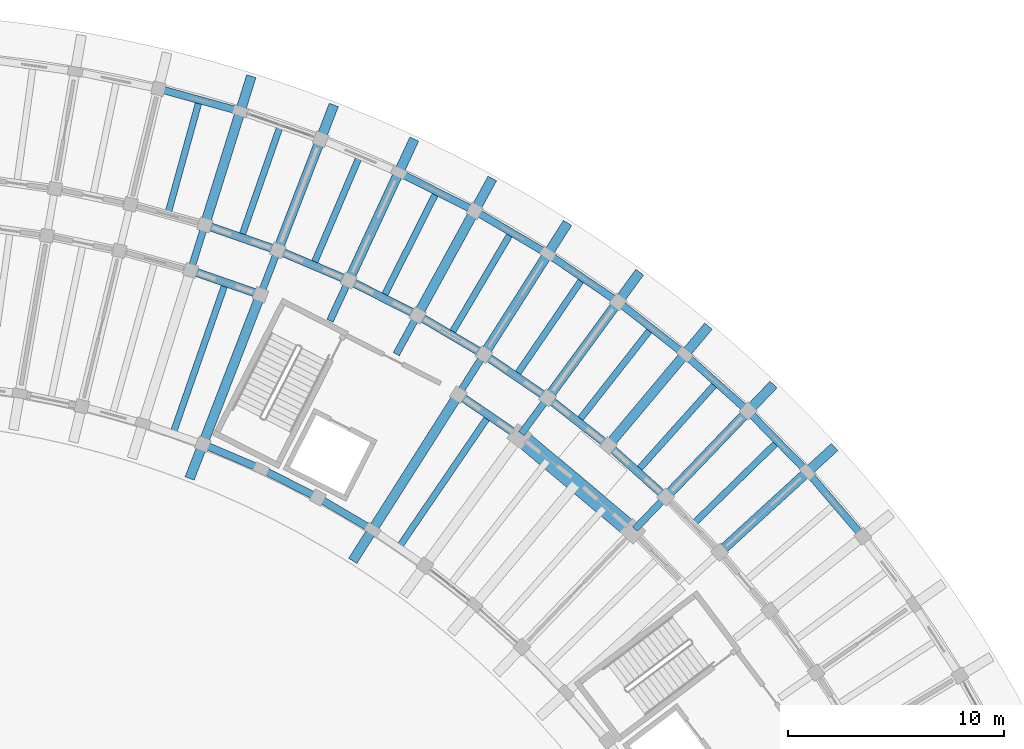
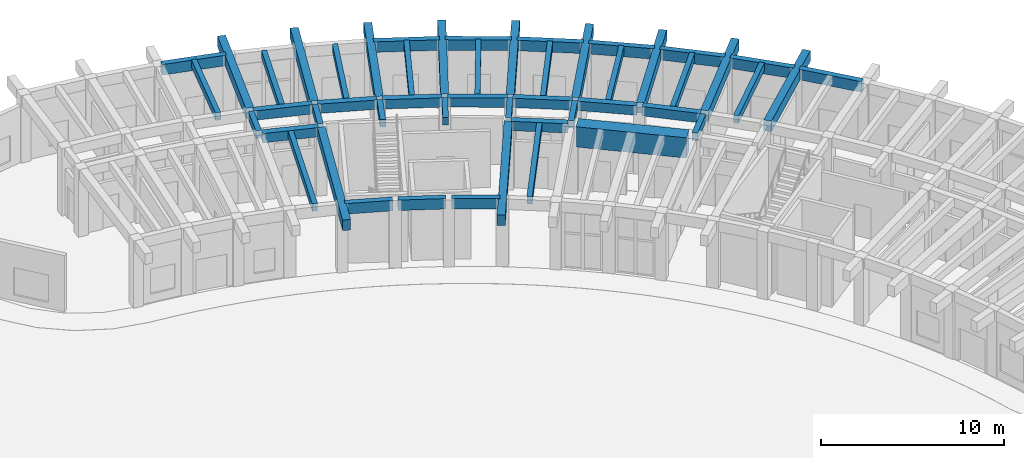
# One storey, part 66 of 132: 50 beams.
"""IFC4 building model written with IfcOpenShell, lengths in metres."""

from ifc_helpers import new_model, si_unit, direction, frame, origin, origin_2d, place, context, subcontext, project, spatial, rectangle, extrude, material, material_profile, profile_set, type_object, element, save


model = new_model("IFC4")

# Units and contexts
model_context = context("Model", 3, precision=1e-05, world=origin(), true_north=direction((0.0, 1.0)))
body_context = subcontext(model_context, "Body", "Model", "MODEL_VIEW")
ifc_project = project(units=[si_unit("LENGTHUNIT", "METRE"), si_unit("AREAUNIT", "SQUARE_METRE"), si_unit("VOLUMEUNIT", "CUBIC_METRE"), si_unit("PLANEANGLEUNIT", "RADIAN"), si_unit("MASSUNIT", "GRAM", prefix="KILO")], contexts=[model_context])

# Site, building, storey
site_placement = place(None, origin())
site = spatial("IfcSite", under=ifc_project, at=site_placement, CompositionType="ELEMENT")
building_placement = place(site_placement, origin())
building = spatial("IfcBuilding", under=site, at=building_placement, Name="Tanwirah Colonnade Gardens", CompositionType="ELEMENT")
storey_placement = place(building_placement, origin())
storey = spatial("IfcBuildingStorey", under=building, at=storey_placement, Name="L00", CompositionType="ELEMENT", Elevation=0.0)

# Beams
ifc_material_1 = material(Name="Precast concrete C40/50", Category="concrete")
ifc_material_profile_1 = material_profile(ifc_material_1, rectangle(XDim=0.320068359375, YDim=0.52001953125, at=origin_2d()), Name="PC-BM 320x520")
ifc_profile_set_1 = profile_set([ifc_material_profile_1], Name="Precast concrete C40/50")
beam_type_1 = type_object("IfcBeamType", Name="BM-PC320", PredefinedType="BEAM", material=ifc_profile_set_1)
for number, where, z_axis, x_axis, name in (
    (1, (156.976806640625, 97.74560546875, 4.22509765625), (0.691913735329, 0.721980181766, 0.0), (-0.721980181766, 0.691913735329, 0.0), "Block B L00 Corridor Tie Beam 8"),
    (2, (151.727783203125, 102.14990234375, 4.22509765625), (0.590895676149, 0.806747977939, 0.0), (-0.806747977939, 0.590895676149, 0.0), "Block B L00 Corridor Tie Beam 10"),
):
    element("IfcBeam", number, at=place(storey_placement, frame(where, z_axis=z_axis, x_axis=x_axis)), inside=storey, type_object=beam_type_1, Name=name, PredefinedType="BEAM", context=body_context, shape_type="SweptSolid", body=[
        extrude(rectangle(XDim=0.320068359375, YDim=0.52001953125, at=origin_2d()), origin(), (0.0, 0.0, 1.0), 1.900146484375),
    ])
for number, where, z_axis, x_axis, name in (
    (3, (148.89697265625, 104.08349609375, 4.22509765625), (0.536509579595, 0.843894229749, 0.0), (-0.843894229749, 0.536509579595, 0.0), "Block B L00 Corridor Tie Beam 11"),
    (4, (145.945068359375, 105.826171875, 4.22509765625), (0.479707235792, 0.877428611301, 0.0), (-0.877428611301, 0.479707235792, 0.0), "Block B L00 Corridor Tie Beam 12"),
    (5, (142.884765625, 107.37060546875, 4.22509765625), (0.420858322681, 0.90712638162, 0.0), (-0.90712638162, 0.420858322681, 0.0), "Block B L00 Corridor Tie Beam 13"),
    (6, (139.729248046875, 108.7099609375, 4.22509765625), (0.360175656082, 0.932884503444, 0.0), (-0.932884503444, 0.360175656082, 0.0), "Block B L00 Corridor Tie Beam 14"),
    (7, (136.492431640625, 109.838623046875, 4.22509765625), (0.297857918398, 0.954610213882, 0.0), (-0.954610213882, 0.297857918398, 0.0), "Block B L00 Corridor Tie Beam 15"),
):
    element("IfcBeam", number, at=place(storey_placement, frame(where, z_axis=z_axis, x_axis=x_axis)), inside=storey, type_object=beam_type_1, Name=name, PredefinedType="BEAM", context=body_context, shape_type="SweptSolid", body=[
        extrude(rectangle(XDim=0.320068359375, YDim=0.52001953125, at=origin_2d()), origin(), (0.0, 0.0, 1.0), 1.89990234375),
    ])
ifc_material_profile_2 = material_profile(ifc_material_1, rectangle(XDim=0.3798828125, YDim=0.6201171875, at=origin_2d()), Name="PC-BM 380x620")
ifc_profile_set_2 = profile_set([ifc_material_profile_2], Name="Precast concrete C40/50")
beam_type_2 = type_object("IfcBeamType", Name="BM-PC380", PredefinedType="BEAM", material=ifc_profile_set_2)
for number, where, z_axis, x_axis, name in (
    (8, (158.283447265625, 99.32568359375, 4.175048828125), (-0.744409136578, 0.667723773262, 0.0), (-0.667723773262, -0.744409136578, 0.0), "Block B L00 Circumferential Beam 8-R2"),
    (9, (155.624755859375, 101.697265625, 4.175048828125), (-0.786839882256, 0.617157192044, 0.0), (-0.617157192044, -0.786839882256, 0.0), "Block B L00 Circumferential Beam 9-R2"),
):
    element("IfcBeam", number, at=place(storey_placement, frame(where, z_axis=z_axis, x_axis=x_axis)), inside=storey, type_object=beam_type_2, Name=name, PredefinedType="BEAM", context=body_context, shape_type="SweptSolid", body=[
        extrude(rectangle(XDim=0.3798828125, YDim=0.6201171875, at=origin_2d()), origin(), (0.0, 0.0, 1.0), 3.26318359375),
    ])
beam_1_placement = place(storey_placement, frame((151.515380859375, 102.113525390625, 4.175048828125), z_axis=(-0.825758291455, 0.564024152047, 0.0), x_axis=(-0.564024152047, -0.825758291455, 0.0)))
element("IfcBeam", 10, at=beam_1_placement, inside=storey, type_object=beam_type_2, Name="Block B L00 Circumferential Beam 10-R1", PredefinedType="BEAM", context=body_context, shape_type="SweptSolid", body=[
    extrude(rectangle(XDim=0.3798828125, YDim=0.6201171875, at=origin_2d()), origin(), (0.0, 0.0, 1.0), 3.118408203125),
])
for number, where, z_axis, x_axis, name in (
    (11, (152.815185546875, 103.888427734375, 4.175048828125), (-0.825782284145, 0.563989024, 0.0), (-0.563989024, -0.825782284145, 0.0), "Block B L00 Circumferential Beam 10-R2"),
    (12, (149.86767578125, 105.8896484375, 4.175048828125), (-0.861134978964, 0.508376384193, 0.0), (-0.508376384193, -0.861134978964, 0.0), "Block B L00 Circumferential Beam 11-R2"),
    (13, (146.794677734375, 107.6923828125, 4.175048828125), (-0.89276014323, 0.450532270387, 0.0), (-0.450532270387, -0.89276014323, 0.0), "Block B L00 Circumferential Beam 12-R2"),
):
    element("IfcBeam", number, at=place(storey_placement, frame(where, z_axis=z_axis, x_axis=x_axis)), inside=storey, type_object=beam_type_2, Name=name, PredefinedType="BEAM", context=body_context, shape_type="SweptSolid", body=[
        extrude(rectangle(XDim=0.3798828125, YDim=0.6201171875, at=origin_2d()), origin(), (0.0, 0.0, 1.0), 3.26318359375),
    ])
beam_2_placement = place(storey_placement, frame((143.609375, 109.288818359375, 4.175048828125), z_axis=(-0.920513294115, 0.390711242938, 0.0), x_axis=(-0.390711242938, -0.920513294115, 0.0)))
element("IfcBeam", 14, at=beam_2_placement, inside=storey, type_object=beam_type_2, Name="Block B L00 Circumferential Beam 13-R2", PredefinedType="BEAM", context=body_context, shape_type="SweptSolid", body=[
    extrude(rectangle(XDim=0.3798828125, YDim=0.6201171875, at=origin_2d()), origin(), (0.0, 0.0, 1.0), 3.262939453125),
])
beam_3_placement = place(storey_placement, frame((139.53369140625, 108.619384765625, 4.175048828125), z_axis=(-0.944248304077, 0.329234172358, 0.0), x_axis=(-0.329234172358, -0.944248304077, 0.0)))
element("IfcBeam", 15, at=beam_3_placement, inside=storey, type_object=beam_type_2, Name="Block B L00 Circumferential Beam 14-R1", PredefinedType="BEAM", context=body_context, shape_type="SweptSolid", body=[
    extrude(rectangle(XDim=0.3798828125, YDim=0.6201171875, at=origin_2d()), origin(), (0.0, 0.0, 1.0), 3.1181640625),
])
beam_4_placement = place(storey_placement, frame((140.325927734375, 110.671630859375, 4.175048828125), z_axis=(-0.944231021702, 0.329283734272, 0.0), x_axis=(-0.329283734272, -0.944231021702, 0.0)))
element("IfcBeam", 16, at=beam_4_placement, inside=storey, type_object=beam_type_2, Name="Block B L00 Circumferential Beam 14-R2", PredefinedType="BEAM", context=body_context, shape_type="SweptSolid", body=[
    extrude(rectangle(XDim=0.3798828125, YDim=0.6201171875, at=origin_2d()), origin(), (0.0, 0.0, 1.0), 3.262939453125),
])
ifc_material_2 = material(Name="Precast concrete C45/55", Category="concrete")
ifc_material_profile_3 = material_profile(ifc_material_2, rectangle(XDim=0.449951171875, YDim=0.699951171875, at=origin_2d()), Name="PC-BM 450x700")
ifc_profile_set_3 = profile_set([ifc_material_profile_3], Name="Precast concrete C45/55")
beam_type_3 = type_object("IfcBeamType", Name="BM-PC450", PredefinedType="BEAM", material=ifc_profile_set_3)
for number, where, z_axis, x_axis, name in (
    (17, (160.995849609375, 96.7783203125, 4.135009765625), (0.737934199263, 0.674872667663, 0.0), (-0.674872667663, 0.737934199263, 0.0), "Block B L00 Outer Radial Precast Girder 7"),
    (18, (158.4990234375, 99.333984375, 4.135009765625), (0.691864746793, 0.722027127015, 0.0), (-0.722027127015, 0.691864746793, 0.0), "Block B L00 Outer Radial Precast Girder 8"),
):
    element("IfcBeam", number, at=place(storey_placement, frame(where, z_axis=z_axis, x_axis=x_axis)), inside=storey, type_object=beam_type_3, Name=name, PredefinedType="BEAM", context=body_context, shape_type="SweptSolid", body=[
        extrude(rectangle(XDim=0.449951171875, YDim=0.699951171875, at=origin_2d()), origin(), (0.0, 0.0, 1.0), 7.050048828125),
    ])
beam_5_placement = place(storey_placement, frame((155.839111328125, 101.7197265625, 4.135009765625), z_axis=(0.642810291951, 0.766025409867, 0.0), x_axis=(-0.766025409867, 0.642810291951, 0.0)))
element("IfcBeam", 19, at=beam_5_placement, inside=storey, type_object=beam_type_3, Name="Block B L00 Outer Radial Precast Girder 9", PredefinedType="BEAM", context=body_context, shape_type="SweptSolid", body=[
    extrude(rectangle(XDim=0.449951171875, YDim=0.699951171875, at=origin_2d()), origin(), (0.0, 0.0, 1.0), 7.0498046875),
])
beam_6_placement = place(storey_placement, frame((153.02783203125, 103.9248046875, 4.135009765625), z_axis=(0.590919194225, 0.806730751798, 0.0), x_axis=(-0.806730751798, 0.590919194225, 0.0)))
element("IfcBeam", 20, at=beam_6_placement, inside=storey, type_object=beam_type_3, Name="Block B L00 Outer Radial Precast Girder 10", PredefinedType="BEAM", context=body_context, shape_type="SweptSolid", body=[
    extrude(rectangle(XDim=0.449951171875, YDim=0.699951171875, at=origin_2d()), origin(), (0.0, 0.0, 1.0), 7.050048828125),
])
beam_7_placement = place(storey_placement, frame((148.736083984375, 103.830322265625, 4.135009765625), z_axis=(-0.536483588607, -0.843910753075, 0.0), x_axis=(0.843910753075, -0.536483588607, 0.0)))
element("IfcBeam", 21, at=beam_7_placement, inside=storey, type_object=beam_type_3, Name="Block B L00 Inner Radial Precast Girder 11", PredefinedType="BEAM", context=body_context, shape_type="SweptSolid", body=[
    extrude(rectangle(XDim=0.449951171875, YDim=0.699951171875, at=origin_2d()), origin(), (0.0, 0.0, 1.0), 8.949951171875),
])
for number, where, z_axis, x_axis, name in (
    (22, (150.077392578125, 105.93994140625, 4.135009765625), (0.536451921133, 0.843930883611, 0.0), (-0.843930883611, 0.536451921133, 0.0), "Block B L00 Outer Radial Precast Girder 11"),
    (23, (147.00048828125, 107.75634765625, 4.135009765625), (0.479686549155, 0.877439920769, 0.0), (-0.877439920769, 0.479686549155, 0.0), "Block B L00 Outer Radial Precast Girder 12"),
    (24, (143.810546875, 109.3662109375, 4.135009765625), (0.420855908645, 0.9071275016, 0.0), (-0.9071275016, 0.420855908645, 0.0), "Block B L00 Outer Radial Precast Girder 13"),
):
    element("IfcBeam", number, at=place(storey_placement, frame(where, z_axis=z_axis, x_axis=x_axis)), inside=storey, type_object=beam_type_3, Name=name, PredefinedType="BEAM", context=body_context, shape_type="SweptSolid", body=[
        extrude(rectangle(XDim=0.449951171875, YDim=0.699951171875, at=origin_2d()), origin(), (0.0, 0.0, 1.0), 7.050048828125),
    ])
beam_8_placement = place(storey_placement, frame((139.62109375, 108.43017578125, 4.135009765625), z_axis=(-0.360155980892, -0.932892099563, 0.0), x_axis=(0.932892099563, -0.360155980892, 0.0)))
element("IfcBeam", 25, at=beam_8_placement, inside=storey, type_object=beam_type_3, Name="Block B L00 Inner Radial Precast Girder 14", PredefinedType="BEAM", context=body_context, shape_type="SweptSolid", body=[
    extrude(rectangle(XDim=0.449951171875, YDim=0.699951171875, at=origin_2d()), origin(), (0.0, 0.0, 1.0), 8.949951171875),
])
for number, where, z_axis, x_axis, name in (
    (26, (140.521728515625, 110.76220703125, 4.135009765625), (0.360150678391, 0.932894146651, 0.0), (-0.932894146651, 0.360150678391, 0.0), "Block B L00 Outer Radial Precast Girder 14"),
    (27, (137.147705078125, 111.938720703125, 4.135009765625), (0.297957513373, 0.954579132511, 0.0), (-0.954579132511, 0.297957513373, 0.0), "Block B L00 Outer Radial Precast Girder 15"),
):
    element("IfcBeam", number, at=place(storey_placement, frame(where, z_axis=z_axis, x_axis=x_axis)), inside=storey, type_object=beam_type_3, Name=name, PredefinedType="BEAM", context=body_context, shape_type="SweptSolid", body=[
        extrude(rectangle(XDim=0.449951171875, YDim=0.699951171875, at=origin_2d()), origin(), (0.0, 0.0, 1.0), 7.050048828125),
    ])
ifc_material_profile_4 = material_profile(ifc_material_1, rectangle(XDim=0.300048828125, YDim=0.5, at=origin_2d()), Name="PC-JST 300x500")
ifc_profile_set_4 = profile_set([ifc_material_profile_4], Name="Precast concrete C40/50")
beam_type_4 = type_object("IfcBeamType", Name="JST-PC300", PredefinedType="JOIST", material=ifc_profile_set_4)
for number, where, z_axis, x_axis, name in (
    (28, (159.7470703125, 98.0556640625, 4.235107421875), (0.715297399369, 0.698820170327, 0.0), (-0.698820170327, 0.715297399369, 0.0), "Block B L00 Precast Floor Joist 7"),
    (29, (157.168701171875, 100.5263671875, 4.235107421875), (0.667678987176, 0.744449306591, 0.0), (-0.744449306591, 0.667678987176, 0.0), "Block B L00 Precast Floor Joist 8"),
    (30, (154.43310546875, 102.82177734375, 4.235107421875), (0.617177687243, 0.786823806433, 0.0), (-0.786823806433, 0.617177687243, 0.0), "Block B L00 Precast Floor Joist 9"),
    (31, (151.55224609375, 104.931884765625, 4.235107421875), (0.563973225998, 0.825793073571, 0.0), (-0.825793073571, 0.563973225998, 0.0), "Block B L00 Precast Floor Joist 10"),
):
    element("IfcBeam", number, at=place(storey_placement, frame(where, z_axis=z_axis, x_axis=x_axis)), inside=storey, type_object=beam_type_4, Name=name, PredefinedType="JOIST", context=body_context, shape_type="SweptSolid", body=[
        extrude(rectangle(XDim=0.300048828125, YDim=0.5, at=origin_2d()), origin(), (0.0, 0.0, 1.0), 5.260009765625),
    ])
beam_9_placement = place(storey_placement, frame((146.1376953125, 97.004638671875, 4.235107421875), z_axis=(0.564021195806, 0.825760310672, 0.0), x_axis=(-0.825760310672, 0.564021195806, 0.0)))
element("IfcBeam", 32, at=beam_9_placement, inside=storey, type_object=beam_type_4, Name="Block B L00 Inner Precast Floor Joist 10", PredefinedType="JOIST", context=body_context, shape_type="SweptSolid", body=[
    extrude(rectangle(XDim=0.300048828125, YDim=0.5, at=origin_2d()), origin(), (0.0, 0.0, 1.0), 7.159912109375),
])
for number, where, z_axis, x_axis, name in (
    (33, (148.53857421875, 106.84765625, 4.235107421875), (0.508360236823, 0.86114451146, 0.0), (-0.86114451146, 0.508360236823, 0.0), "Block B L00 Precast Floor Joist 11"),
    (34, (145.4052734375, 108.560791015625, 4.235107421875), (0.450533699488, 0.892759422031, 0.0), (-0.892759422031, 0.450533699488, 0.0), "Block B L00 Precast Floor Joist 12"),
):
    element("IfcBeam", number, at=place(storey_placement, frame(where, z_axis=z_axis, x_axis=x_axis)), inside=storey, type_object=beam_type_4, Name=name, PredefinedType="JOIST", context=body_context, shape_type="SweptSolid", body=[
        extrude(rectangle(XDim=0.300048828125, YDim=0.5, at=origin_2d()), origin(), (0.0, 0.0, 1.0), 5.26025390625),
    ])
for number, where, z_axis, x_axis, name in (
    (35, (142.166015625, 110.063720703125, 4.235107421875), (0.390723870106, 0.92050793442, 0.0), (-0.92050793442, 0.390723870106, 0.0), "Block B L00 Precast Floor Joist 13"),
    (36, (138.83447265625, 111.349853515625, 4.235107421875), (0.3292586038, 0.944239785131, 0.0), (-0.944239785131, 0.3292586038, 0.0), "Block B L00 Precast Floor Joist 14"),
):
    element("IfcBeam", number, at=place(storey_placement, frame(where, z_axis=z_axis, x_axis=x_axis)), inside=storey, type_object=beam_type_4, Name=name, PredefinedType="JOIST", context=body_context, shape_type="SweptSolid", body=[
        extrude(rectangle(XDim=0.300048828125, YDim=0.5, at=origin_2d()), origin(), (0.0, 0.0, 1.0), 5.260009765625),
    ])
beam_10_placement = place(storey_placement, frame((135.673828125, 102.28515625, 4.235107421875), z_axis=(0.329250558112, 0.944242590642, 0.0), x_axis=(-0.944242590642, 0.329250558112, 0.0)))
element("IfcBeam", 37, at=beam_10_placement, inside=storey, type_object=beam_type_4, Name="Block B L00 Inner Precast Floor Joist 14", PredefinedType="JOIST", context=body_context, shape_type="SweptSolid", body=[
    extrude(rectangle(XDim=0.300048828125, YDim=0.5, at=origin_2d()), origin(), (0.0, 0.0, 1.0), 7.159912109375),
])
beam_11_placement = place(storey_placement, frame((135.42578125, 112.413818359375, 4.235107421875), z_axis=(0.266281476085, 0.963895313555, 0.0), x_axis=(-0.963895313555, 0.266281476085, 0.0)))
element("IfcBeam", 38, at=beam_11_placement, inside=storey, type_object=beam_type_4, Name="Block B L00 Precast Floor Joist 15", PredefinedType="JOIST", context=body_context, shape_type="SweptSolid", body=[
    extrude(rectangle(XDim=0.300048828125, YDim=0.5, at=origin_2d()), origin(), (0.0, 0.0, 1.0), 5.260009765625),
])
ifc_material_profile_5 = material_profile(ifc_material_2, rectangle(XDim=0.340087890625, YDim=0.699951171875, at=origin_2d()), Name="PC-SP 340x700")
ifc_profile_set_5 = profile_set([ifc_material_profile_5], Name="Precast concrete C45/55")
beam_type_5 = type_object("IfcBeamType", Name="SP-PC340", PredefinedType="SPANDREL", material=ifc_profile_set_5)
beam_12_placement = place(storey_placement, frame((167.398681640625, 97.52001953125, 4.135009765625), z_axis=(-0.650170105297, 0.759788677317, 0.0), x_axis=(-0.759788677317, -0.650170105297, 0.0)))
element("IfcBeam", 39, at=beam_12_placement, inside=storey, type_object=beam_type_5, Name="Block B L00 Circumferential Beam 6-R3", PredefinedType="SPANDREL", context=body_context, shape_type="SweptSolid", body=[
    extrude(rectangle(XDim=0.340087890625, YDim=0.699951171875, at=origin_2d()), origin(), (0.0, 0.0, 1.0), 3.625732421875),
])
beam_13_placement = place(storey_placement, frame((164.839111328125, 100.49609375, 4.135009765625), z_axis=(-0.698844493997, 0.715273635199, 0.0), x_axis=(-0.715273635199, -0.698844493997, 0.0)))
element("IfcBeam", 40, at=beam_13_placement, inside=storey, type_object=beam_type_5, Name="Block B L00 Circumferential Beam 7-R3", PredefinedType="SPANDREL", context=body_context, shape_type="SweptSolid", body=[
    extrude(rectangle(XDim=0.340087890625, YDim=0.699951171875, at=origin_2d()), origin(), (0.0, 0.0, 1.0), 3.6259765625),
])
beam_14_placement = place(storey_placement, frame((162.0888671875, 103.296875, 4.135009765625), z_axis=(-0.744444790955, 0.667684021989, 0.0), x_axis=(-0.667684021989, -0.744444790955, 0.0)))
element("IfcBeam", 41, at=beam_14_placement, inside=storey, type_object=beam_type_5, Name="Block B L00 Circumferential Beam 8-R3", PredefinedType="SPANDREL", context=body_context, shape_type="SweptSolid", body=[
    extrude(rectangle(XDim=0.340087890625, YDim=0.699951171875, at=origin_2d()), origin(), (0.0, 0.0, 1.0), 3.625732421875),
])
beam_15_placement = place(storey_placement, frame((159.159912109375, 105.91064453125, 4.135009765625), z_axis=(-0.786843799845, 0.617152197311, 0.0), x_axis=(-0.617152197311, -0.786843799845, 0.0)))
element("IfcBeam", 42, at=beam_15_placement, inside=storey, type_object=beam_type_5, Name="Block B L00 Circumferential Beam 9-R3", PredefinedType="SPANDREL", context=body_context, shape_type="SweptSolid", body=[
    extrude(rectangle(XDim=0.340087890625, YDim=0.699951171875, at=origin_2d()), origin(), (0.0, 0.0, 1.0), 3.62548828125),
])
beam_16_placement = place(storey_placement, frame((156.0654296875, 108.325439453125, 4.135009765625), z_axis=(-0.825782625102, 0.563988524776, 0.0), x_axis=(-0.563988524776, -0.825782625102, 0.0)))
element("IfcBeam", 43, at=beam_16_placement, inside=storey, type_object=beam_type_5, Name="Block B L00 Circumferential Beam 10-R3", PredefinedType="SPANDREL", context=body_context, shape_type="SweptSolid", body=[
    extrude(rectangle(XDim=0.340087890625, YDim=0.699951171875, at=origin_2d()), origin(), (0.0, 0.0, 1.0), 3.625732421875),
])
beam_17_placement = place(storey_placement, frame((144.717529296875, 97.7880859375, 4.135009765625), z_axis=(-0.861148181788, 0.508354019363, 0.0), x_axis=(-0.508354019363, -0.861148181788, 0.0)))
element("IfcBeam", 44, at=beam_17_placement, inside=storey, type_object=beam_type_5, Name="Block B L00 Circumferential Beam 11-R0", PredefinedType="SPANDREL", context=body_context, shape_type="SweptSolid", body=[
    extrude(rectangle(XDim=0.340087890625, YDim=0.699951171875, at=origin_2d()), origin(), (0.0, 0.0, 1.0), 2.63037109375),
])
beam_18_placement = place(storey_placement, frame((152.818359375, 110.53125, 4.135009765625), z_axis=(-0.861136912545, 0.5083731089, 0.0), x_axis=(-0.5083731089, -0.861136912545, 0.0)))
element("IfcBeam", 45, at=beam_18_placement, inside=storey, type_object=beam_type_5, Name="Block B L00 Circumferential Beam 11-R3", PredefinedType="SPANDREL", context=body_context, shape_type="SweptSolid", body=[
    extrude(rectangle(XDim=0.340087890625, YDim=0.699951171875, at=origin_2d()), origin(), (0.0, 0.0, 1.0), 3.625732421875),
])
beam_19_placement = place(storey_placement, frame((142.189453125, 99.26904296875, 4.135009765625), z_axis=(-0.892769015158, 0.450514689632, 0.0), x_axis=(-0.450514689632, -0.892769015158, 0.0)))
element("IfcBeam", 46, at=beam_19_placement, inside=storey, type_object=beam_type_5, Name="Block B L00 Circumferential Beam 12-R0", PredefinedType="SPANDREL", context=body_context, shape_type="SweptSolid", body=[
    extrude(rectangle(XDim=0.340087890625, YDim=0.699951171875, at=origin_2d()), origin(), (0.0, 0.0, 1.0), 2.63037109375),
])
beam_20_placement = place(storey_placement, frame((149.43310546875, 112.518310546875, 4.135009765625), z_axis=(-0.892764670911, 0.450523298368, 0.0), x_axis=(-0.450523298368, -0.892764670911, 0.0)))
element("IfcBeam", 47, at=beam_20_placement, inside=storey, type_object=beam_type_5, Name="Block B L00 Circumferential Beam 12-R3", PredefinedType="SPANDREL", context=body_context, shape_type="SweptSolid", body=[
    extrude(rectangle(XDim=0.340087890625, YDim=0.699951171875, at=origin_2d()), origin(), (0.0, 0.0, 1.0), 3.6259765625),
])
beam_21_placement = place(storey_placement, frame((139.569091796875, 100.580322265625, 4.135009765625), z_axis=(-0.920488719784, 0.390769134848, 0.0), x_axis=(-0.390769134848, -0.920488719784, 0.0)))
element("IfcBeam", 48, at=beam_21_placement, inside=storey, type_object=beam_type_5, Name="Block B L00 Circumferential Beam 13-R0", PredefinedType="SPANDREL", context=body_context, shape_type="SweptSolid", body=[
    extrude(rectangle(XDim=0.340087890625, YDim=0.699951171875, at=origin_2d()), origin(), (0.0, 0.0, 1.0), 2.63037109375),
])
beam_22_placement = place(storey_placement, frame((138.59716796875, 117.085693359375, 4.135009765625), z_axis=(-0.963888380927, 0.266306569792, 0.0), x_axis=(-0.266306569792, -0.963888380927, 0.0)))
element("IfcBeam", 49, at=beam_22_placement, inside=storey, type_object=beam_type_5, Name="Block B L00 Circumferential Beam 15-R3", PredefinedType="SPANDREL", context=body_context, shape_type="SweptSolid", body=[
    extrude(rectangle(XDim=0.340087890625, YDim=0.699951171875, at=origin_2d()), origin(), (0.0, 0.0, 1.0), 3.625732421875),
])
ifc_material_3 = material(Name="Concrete C50/60", Category="concrete")
ifc_material_profile_6 = material_profile(ifc_material_3, rectangle(XDim=0.800048828125, YDim=1.35009765625, at=origin_2d()), Name="RC-TG 800x1350")
ifc_profile_set_6 = profile_set([ifc_material_profile_6], Name="Concrete C50/60")
beam_type_6 = type_object("IfcBeamType", Name="TG-RC800", PredefinedType="BEAM", material=ifc_profile_set_6)
beam_23_placement = place(storey_placement, frame((156.60498046875, 97.862060546875, 3.81005859375), z_axis=(-0.766043563, 0.64278865857, 0.0), x_axis=(-0.64278865857, -0.766043563, 0.0)))
element("IfcBeam", 50, at=beam_23_placement, inside=storey, type_object=beam_type_6, Name="Block B L00 Entrance Lobby Transfer Girder", PredefinedType="BEAM", context=body_context, shape_type="SweptSolid", body=[
    extrude(rectangle(XDim=0.800048828125, YDim=1.35009765625, at=origin_2d()), origin(), (0.0, 0.0, 1.0), 6.132568359375),
])

save(model, "model.ifc")
